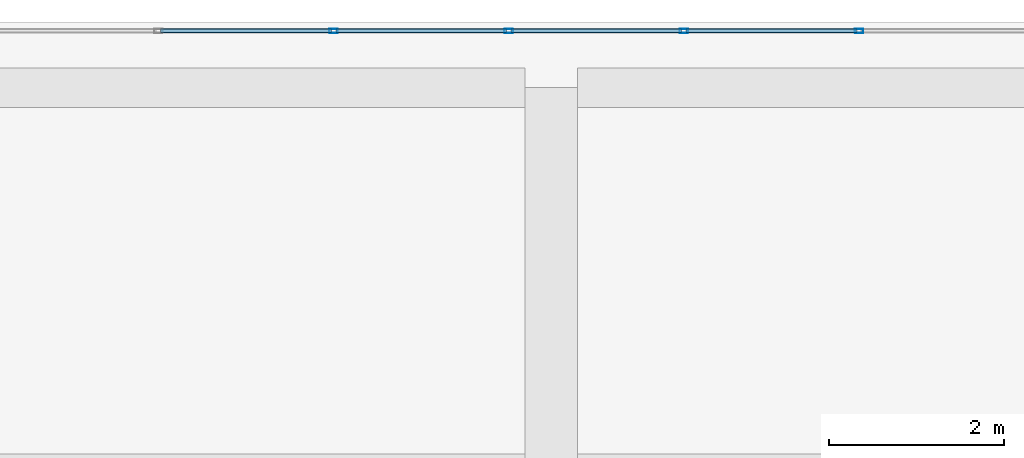
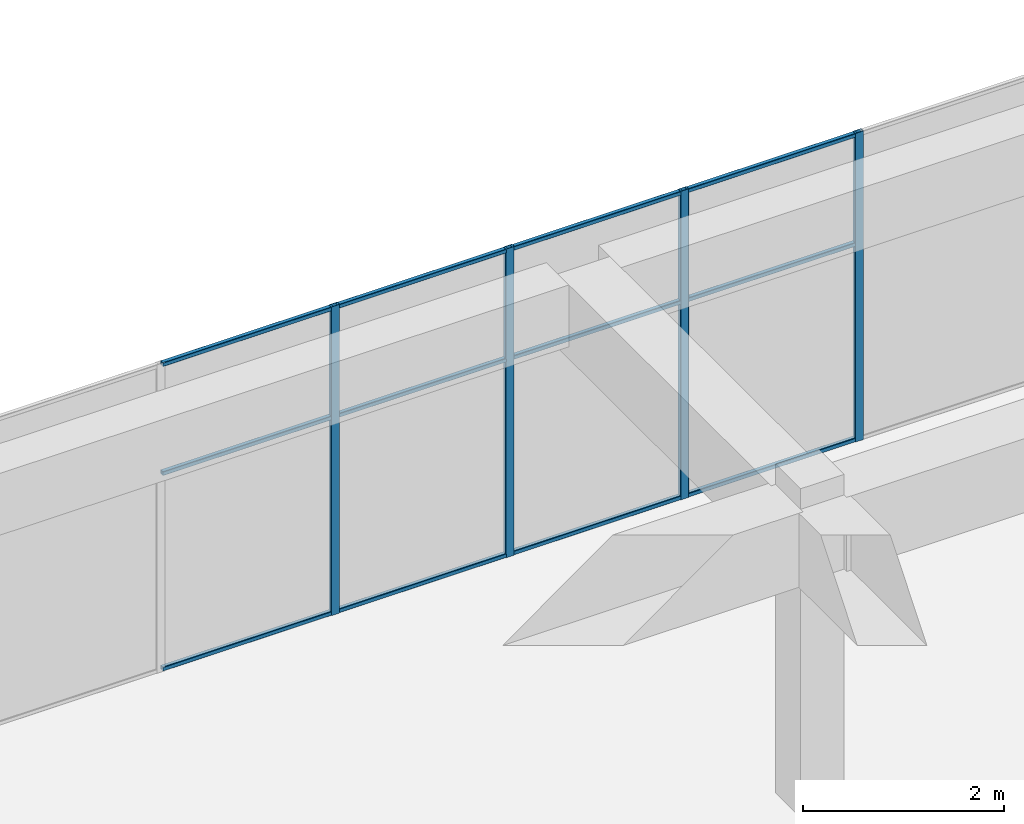
# One storey, part 26 of 34: 16 members, 1 element without a shape of its own.
"""IFC4 building model written with IfcOpenShell, lengths in metres."""

import ifcopenshell
import ifcopenshell.guid

model = None  # the IFC model being written
_history = None  # IfcOwnerHistory: only IFC2X3 demands one
_inside = {}  # id of a spatial element -> (the spatial element, [elements in it])
_under = {}  # id of a project, library or spatial element -> (it, [spatial elements below it])
_declared = {}  # id of a project -> (the project, [libraries it declares])
_typed = {}  # id of a type object -> (the type object, [elements of that type])
_made_of = {}  # id of a material, layer set ... -> (it, [elements and type objects made of it])


def new_model(schema):
    """Start an empty IFC model of exactly this schema.

    Asked for "IFC4X3", IfcOpenShell would pick the latest addendum, in which some entities
    have other attributes; the version numbers below select the first issue.
    IFC2X3 requires an IfcOwnerHistory on every rooted entity: one is made here for all.
    """
    global model, _history
    if schema == "IFC4X3":
        model = ifcopenshell.file(schema_version=(4, 3, 0, 0))
    else:
        model = ifcopenshell.file(schema=schema)
    _inside.clear()
    _under.clear()
    _declared.clear()
    _typed.clear()
    _made_of.clear()
    _history = None
    if model.schema == "IFC2X3":
        org = make("IfcOrganization", Name="unknown")
        user = make(
            "IfcPersonAndOrganization",
            ThePerson=make("IfcPerson", FamilyName="unknown"),
            TheOrganization=org,
        )
        app = make(
            "IfcApplication",
            ApplicationDeveloper=org,
            Version="unknown",
            ApplicationFullName="unknown",
            ApplicationIdentifier="unknown",
        )
        _history = make(
            "IfcOwnerHistory",
            OwningUser=user,
            OwningApplication=app,
            ChangeAction="ADDED",
            CreationDate=0,
        )
    return model


def make(cls, **values):
    """One entity of the class cls with the attributes given. An attribute that is None is left unset."""
    return model.create_entity(
        cls, **{name: value for name, value in values.items() if value is not None}
    )


def rooted(cls, **values):
    """An entity with a GlobalId (a new one), such as an element, a storey or a relation."""
    return make(cls, GlobalId=ifcopenshell.guid.new(), OwnerHistory=_history, **values)


def si_unit(unit_type, name, prefix=None):
    """IfcSIUnit, for example si_unit("LENGTHUNIT", "METRE", prefix="MILLI")."""
    return make("IfcSIUnit", UnitType=unit_type, Prefix=prefix, Name=name)


def assignment(units):
    """IfcUnitAssignment: the units of a project."""
    return None if units is None else make("IfcUnitAssignment", Units=units)


def point(xyz):
    """IfcCartesianPoint."""
    return None if xyz is None else make("IfcCartesianPoint", Coordinates=xyz)


def direction(xyz):
    """IfcDirection."""
    return None if xyz is None else make("IfcDirection", DirectionRatios=xyz)


def frame(location, z_axis=None, x_axis=None):
    """IfcAxis2Placement3D, a coordinate frame: its origin and axes. An axis left out is left unset."""
    return make(
        "IfcAxis2Placement3D",
        Location=point(location),
        Axis=direction(z_axis),
        RefDirection=direction(x_axis),
    )


def frame_2d(location, x_axis=None):
    """IfcAxis2Placement2D, a coordinate frame in the plane: its origin and x axis."""
    return make(
        "IfcAxis2Placement2D", Location=point(location), RefDirection=direction(x_axis)
    )


def origin():
    """The frame at (0, 0, 0) with its axes left unset."""
    return frame((0.0, 0.0, 0.0))


def origin_2d():
    """The frame at (0, 0) in the plane with its x axis left unset."""
    return frame_2d((0.0, 0.0))


def place(relative_to, where):
    """IfcLocalPlacement: puts the frame where relative to a parent placement (None: the world)."""
    return make(
        "IfcLocalPlacement", PlacementRelTo=relative_to, RelativePlacement=where
    )


def context(
    kind, dimensions, precision=None, world=None, true_north=None, identifier=None
):
    """IfcGeometricRepresentationContext, for example the 3D "Model" context."""
    return make(
        "IfcGeometricRepresentationContext",
        ContextIdentifier=identifier,
        ContextType=kind,
        CoordinateSpaceDimension=dimensions,
        Precision=precision,
        WorldCoordinateSystem=world,
        TrueNorth=true_north,
    )


def subcontext(parent, identifier, kind, view, scale=None):
    """IfcGeometricRepresentationSubContext, for example "Body" below "Model"."""
    return make(
        "IfcGeometricRepresentationSubContext",
        ContextIdentifier=identifier,
        ContextType=kind,
        ParentContext=parent,
        TargetScale=scale,
        TargetView=view,
    )


def project(units=None, contexts=None):
    """IfcProject with its units and contexts."""
    return rooted(
        "IfcProject",
        Name="project",
        RepresentationContexts=contexts,
        UnitsInContext=assignment(units),
    )


def spatial(cls, under=None, at=None, **own):
    """A site, building, storey or space (cls), placed at a placement, below another one or the project."""
    s = rooted(cls, ObjectPlacement=at, **own)
    if under is not None:
        _under.setdefault(under.id(), (under, []))[1].append(s)
    return s


def profile(cls, at=None, kind="AREA", **sizes):
    """A parametric profile (cls). Its sizes go by their IFC names, for example OverallWidth=200.0."""
    return make(cls, ProfileType=kind, Position=at, **sizes)


def hollow_rectangle(**sizes):
    """IfcRectangleHollowProfileDef."""
    return profile("IfcRectangleHollowProfileDef", **sizes)


def extrude(swept, where, along, depth):
    """IfcExtrudedAreaSolid: the profile swept, set in the frame where, extruded along a direction by depth."""
    return make(
        "IfcExtrudedAreaSolid",
        SweptArea=swept,
        Position=where,
        ExtrudedDirection=direction(along),
        Depth=depth,
    )


def shape(context_of_items, identifier, shape_type, items):
    """IfcShapeRepresentation: the items that make up one representation, for example the "Body"."""
    return make(
        "IfcShapeRepresentation",
        ContextOfItems=context_of_items,
        RepresentationIdentifier=identifier,
        RepresentationType=shape_type,
        Items=items,
    )


def material(Name=None, Category=None):
    """IfcMaterial."""
    return make("IfcMaterial", Name=Name, Category=Category)


def layer(
    of_material, thickness, ventilated=None, Name=None, Category=None, Priority=None
):
    """IfcMaterialLayer: one layer of a wall or slab, of a material (None: an air gap)."""
    return make(
        "IfcMaterialLayer",
        Material=of_material,
        LayerThickness=thickness,
        IsVentilated=ventilated,
        Name=Name,
        Category=Category,
        Priority=Priority,
    )


def layer_set(layers, Name=None):
    """IfcMaterialLayerSet."""
    return make("IfcMaterialLayerSet", MaterialLayers=layers, LayerSetName=Name)


def material_profile(
    of_material, cross_section, Name=None, Category=None, Priority=None
):
    """IfcMaterialProfile: a cross section and its material."""
    return make(
        "IfcMaterialProfile",
        Name=Name,
        Material=of_material,
        Profile=cross_section,
        Priority=Priority,
        Category=Category,
    )


def profile_set(profiles, Name=None, composite=None):
    """IfcMaterialProfileSet."""
    return make(
        "IfcMaterialProfileSet",
        Name=Name,
        MaterialProfiles=profiles,
        CompositeProfile=composite,
    )


def made_of(thing, what):
    """Note that an element or type object is made of a material, layer set ...; save() writes the relation."""
    if what is not None:
        _made_of.setdefault(what.id(), (what, []))[1].append(thing)
    return thing


def type_object(cls, material=None, **own):
    """A type object (cls), such as IfcWallType, which elements share."""
    return made_of(rooted(cls, **own), material)


def element(
    cls,
    number,
    at=None,
    inside=None,
    cuts=None,
    type_object=None,
    material=None,
    context=None,
    identifier="Body",
    shape_type=None,
    held_by="IfcProductDefinitionShape",
    body=None,
    shapes=None,
    **own,
):
    """One element of the class cls, such as IfcWall. Its Tag is "e" and its number.

    at: its placement. inside: the storey or other place that contains it. cuts: it is an
    opening in that element (IfcRelVoidsElement). A single representation is given by context,
    identifier, shape_type and body (its items); several are given by shapes. held_by: the class
    of the entity that holds the representations. save() writes the other relations.
    """
    e = rooted(cls, Tag="e%d" % number, ObjectPlacement=at, **own)
    if body is not None:
        shapes = [shape(context, identifier, shape_type, body)]
    if shapes is not None:
        e.Representation = make(held_by, Representations=shapes)
    if inside is not None:
        _inside.setdefault(inside.id(), (inside, []))[1].append(e)
    if cuts is not None:
        rooted(
            "IfcRelVoidsElement", RelatingBuildingElement=cuts, RelatedOpeningElement=e
        )
    if type_object is not None:
        _typed.setdefault(type_object.id(), (type_object, []))[1].append(e)
    return made_of(e, material)


def aggregate(whole, parts):
    """IfcRelAggregates: a whole, such as a stair, and the parts it consists of."""
    return rooted("IfcRelAggregates", RelatingObject=whole, RelatedObjects=parts)


def save(model, path):
    """Write the relations noted so far, then the file.

    IfcRelAggregates (storeys below a building ...), IfcRelContainedInSpatialStructure (elements
    in a storey), IfcRelDefinesByType, IfcRelAssociatesMaterial and IfcRelDeclares: one each for
    every whole, place, type object, material and project.
    """
    for whole, parts in _under.values():
        aggregate(whole, parts)
    for where, things in _inside.values():
        rooted(
            "IfcRelContainedInSpatialStructure",
            RelatedElements=things,
            RelatingStructure=where,
        )
    for kind, things in _typed.values():
        rooted("IfcRelDefinesByType", RelatedObjects=things, RelatingType=kind)
    for what, things in _made_of.values():
        rooted("IfcRelAssociatesMaterial", RelatedObjects=things, RelatingMaterial=what)
    for by, libraries in _declared.values():
        rooted("IfcRelDeclares", RelatingContext=by, RelatedDefinitions=libraries)
    model.write(path)


model = new_model("IFC4")

# Units and contexts
model_context = context("Model", 3, precision=1e-05, world=origin(), true_north=direction((0.0, 1.0)))
body_context = subcontext(model_context, "Body", "Model", "MODEL_VIEW")
ifc_project = project(units=[si_unit("LENGTHUNIT", "METRE"), si_unit("AREAUNIT", "SQUARE_METRE"), si_unit("VOLUMEUNIT", "CUBIC_METRE"), si_unit("PLANEANGLEUNIT", "RADIAN"), si_unit("MASSUNIT", "GRAM", prefix="KILO")], contexts=[model_context])

# Site, building, storey
site_placement = place(None, origin())
site = spatial("IfcSite", under=ifc_project, at=site_placement, CompositionType="ELEMENT")
building_placement = place(site_placement, origin())
building = spatial("IfcBuilding", under=site, at=building_placement, Name="Tuart Plaza Theatre", CompositionType="ELEMENT")
storey_placement = place(building_placement, frame((0.0, 0.0, 53.5)))
storey = spatial("IfcBuildingStorey", under=building, at=storey_placement, Name="L13", CompositionType="ELEMENT", Elevation=53.5)

# Curtain wall, members
ifc_material_1 = material(Name="Aluminium and glass", Category="aluminium")
ifc_layer = layer(ifc_material_1, 0.10009765625)
ifc_layer_set = layer_set([ifc_layer], Name="CURTAIN WALL 2000 module")
curtain_wall_type = type_object("IfcCurtainWallType", Name="CURTAIN WALL 2000 module", PredefinedType="NOTDEFINED", material=ifc_layer_set)
curtain_wall_placement = place(storey_placement, origin())
curtain_wall = element("IfcCurtainWall", 1, at=curtain_wall_placement, inside=storey, type_object=curtain_wall_type, Name="CW117", PredefinedType="NOTDEFINED")
ifc_material_2 = material(Name="Aluminium 6063-T5", Category="aluminium")
ifc_material_profile_1 = material_profile(ifc_material_2, hollow_rectangle(XDim=0.050048828125, YDim=0.10009765625, WallThickness=0.00390625, InnerFilletRadius=0.00390625, OuterFilletRadius=0.008056640625, at=origin_2d()), Name="RHS 100x50x4")
ifc_profile_set_1 = profile_set([ifc_material_profile_1], Name="Aluminium 6063-T5")
member_type_1 = type_object("IfcMemberType", Name="MULLION RHS 100x50x4", PredefinedType="MULLION", material=ifc_profile_set_1)
member_1_placement = place(storey_placement, frame((135.528564453125, 97.14990234375, 0.0), z_axis=(0.0, 0.0, 1.0), x_axis=(0.0, -1.0, 0.0)))
member_1 = element("IfcMember", 2, at=member_1_placement, type_object=member_type_1, Name="CW117 mullion 4", PredefinedType="MULLION", context=body_context, shape_type="SweptSolid", body=[
    extrude(hollow_rectangle(XDim=0.050048828125, YDim=0.10009765625, WallThickness=0.00390625, InnerFilletRadius=0.00390625, OuterFilletRadius=0.008056640625, at=origin_2d()), origin(), (0.0, 0.0, 1.0), 3.75),
])
member_2_placement = place(storey_placement, frame((133.521484375, 97.14990234375, 0.0), z_axis=(0.0, 0.0, 1.0), x_axis=(0.0, -1.0, 0.0)))
member_2 = element("IfcMember", 3, at=member_2_placement, type_object=member_type_1, Name="CW117 mullion 5", PredefinedType="MULLION", context=body_context, shape_type="SweptSolid", body=[
    extrude(hollow_rectangle(XDim=0.050048828125, YDim=0.10009765625, WallThickness=0.00390625, InnerFilletRadius=0.00390625, OuterFilletRadius=0.008056640625, at=origin_2d()), origin(), (0.0, 0.0, 1.0), 3.75),
])
member_3_placement = place(storey_placement, frame((131.514404296875, 97.14990234375, 0.0), z_axis=(0.0, 0.0, 1.0), x_axis=(0.0, -1.0, 0.0)))
member_3 = element("IfcMember", 4, at=member_3_placement, type_object=member_type_1, Name="CW117 mullion 6", PredefinedType="MULLION", context=body_context, shape_type="SweptSolid", body=[
    extrude(hollow_rectangle(XDim=0.050048828125, YDim=0.10009765625, WallThickness=0.00390625, InnerFilletRadius=0.00390625, OuterFilletRadius=0.008056640625, at=origin_2d()), origin(), (0.0, 0.0, 1.0), 3.75),
])
member_4_placement = place(storey_placement, frame((129.507080078125, 97.14990234375, 0.0), z_axis=(0.0, 0.0, 1.0), x_axis=(0.0, -1.0, 0.0)))
member_4 = element("IfcMember", 5, at=member_4_placement, type_object=member_type_1, Name="CW117 mullion 7", PredefinedType="MULLION", context=body_context, shape_type="SweptSolid", body=[
    extrude(hollow_rectangle(XDim=0.050048828125, YDim=0.10009765625, WallThickness=0.00390625, InnerFilletRadius=0.00390625, OuterFilletRadius=0.008056640625, at=origin_2d()), origin(), (0.0, 0.0, 1.0), 3.75),
])
ifc_material_3 = material(Name="Aluminium 6063-T5", Category="aluminium")
ifc_material_profile_2 = material_profile(ifc_material_3, hollow_rectangle(XDim=0.050048828125, YDim=0.050048828125, WallThickness=0.00390625, InnerFilletRadius=0.00390625, OuterFilletRadius=0.008056640625, at=origin_2d()), Name="RHS 50x50x4")
ifc_profile_set_2 = profile_set([ifc_material_profile_2], Name="Aluminium 6063-T5")
member_type_2 = type_object("IfcMemberType", Name="TRANSOM RHS 50x50x4", PredefinedType="USERDEFINED", material=ifc_profile_set_2)
member_5_placement = place(storey_placement, frame((135.503662109375, 97.14990234375, 0.02490234375), z_axis=(-1.0, 0.0, 0.0), x_axis=(0.0, -1.0, 0.0)))
member_5 = element("IfcMember", 6, at=member_5_placement, type_object=member_type_2, Name="CW117 transom 4.1", ObjectType="TRANSOM", PredefinedType="USERDEFINED", context=body_context, shape_type="SweptSolid", body=[
    extrude(hollow_rectangle(XDim=0.050048828125, YDim=0.050048828125, WallThickness=0.00390625, InnerFilletRadius=0.00390625, OuterFilletRadius=0.008056640625, at=origin_2d()), origin(), (0.0, 0.0, 1.0), 1.957275390625),
])
member_6_placement = place(storey_placement, frame((135.503662109375, 97.14990234375, 2.39990234375), z_axis=(-1.0, 0.0, 0.0), x_axis=(0.0, -1.0, 0.0)))
member_6 = element("IfcMember", 7, at=member_6_placement, type_object=member_type_2, Name="CW117 transom 4.2", ObjectType="TRANSOM", PredefinedType="USERDEFINED", context=body_context, shape_type="SweptSolid", body=[
    extrude(hollow_rectangle(XDim=0.050048828125, YDim=0.050048828125, WallThickness=0.00390625, InnerFilletRadius=0.00390625, OuterFilletRadius=0.008056640625, at=origin_2d()), origin(), (0.0, 0.0, 1.0), 1.957275390625),
])
member_7_placement = place(storey_placement, frame((135.503662109375, 97.14990234375, 3.72509765625), z_axis=(-1.0, 0.0, 0.0), x_axis=(0.0, -1.0, 0.0)))
member_7 = element("IfcMember", 8, at=member_7_placement, type_object=member_type_2, Name="CW117 transom 4.3", ObjectType="TRANSOM", PredefinedType="USERDEFINED", context=body_context, shape_type="SweptSolid", body=[
    extrude(hollow_rectangle(XDim=0.050048828125, YDim=0.050048828125, WallThickness=0.00390625, InnerFilletRadius=0.00390625, OuterFilletRadius=0.008056640625, at=origin_2d()), origin(), (0.0, 0.0, 1.0), 1.957275390625),
])
member_8_placement = place(storey_placement, frame((133.496337890625, 97.14990234375, 0.02490234375), z_axis=(-1.0, 0.0, 0.0), x_axis=(0.0, -1.0, 0.0)))
member_8 = element("IfcMember", 9, at=member_8_placement, type_object=member_type_2, Name="CW117 transom 5.1", ObjectType="TRANSOM", PredefinedType="USERDEFINED", context=body_context, shape_type="SweptSolid", body=[
    extrude(hollow_rectangle(XDim=0.050048828125, YDim=0.050048828125, WallThickness=0.00390625, InnerFilletRadius=0.00390625, OuterFilletRadius=0.008056640625, at=origin_2d()), origin(), (0.0, 0.0, 1.0), 1.95703125),
])
member_9_placement = place(storey_placement, frame((133.496337890625, 97.14990234375, 2.39990234375), z_axis=(-1.0, 0.0, 0.0), x_axis=(0.0, -1.0, 0.0)))
member_9 = element("IfcMember", 10, at=member_9_placement, type_object=member_type_2, Name="CW117 transom 5.2", ObjectType="TRANSOM", PredefinedType="USERDEFINED", context=body_context, shape_type="SweptSolid", body=[
    extrude(hollow_rectangle(XDim=0.050048828125, YDim=0.050048828125, WallThickness=0.00390625, InnerFilletRadius=0.00390625, OuterFilletRadius=0.008056640625, at=origin_2d()), origin(), (0.0, 0.0, 1.0), 1.95703125),
])
member_10_placement = place(storey_placement, frame((133.496337890625, 97.14990234375, 3.72509765625), z_axis=(-1.0, 0.0, 0.0), x_axis=(0.0, -1.0, 0.0)))
member_10 = element("IfcMember", 11, at=member_10_placement, type_object=member_type_2, Name="CW117 transom 5.3", ObjectType="TRANSOM", PredefinedType="USERDEFINED", context=body_context, shape_type="SweptSolid", body=[
    extrude(hollow_rectangle(XDim=0.050048828125, YDim=0.050048828125, WallThickness=0.00390625, InnerFilletRadius=0.00390625, OuterFilletRadius=0.008056640625, at=origin_2d()), origin(), (0.0, 0.0, 1.0), 1.95703125),
])
member_11_placement = place(storey_placement, frame((131.4892578125, 97.14990234375, 0.02490234375), z_axis=(-1.0, 0.0, 0.0), x_axis=(0.0, -1.0, 0.0)))
member_11 = element("IfcMember", 12, at=member_11_placement, type_object=member_type_2, Name="CW117 transom 6.1", ObjectType="TRANSOM", PredefinedType="USERDEFINED", context=body_context, shape_type="SweptSolid", body=[
    extrude(hollow_rectangle(XDim=0.050048828125, YDim=0.050048828125, WallThickness=0.00390625, InnerFilletRadius=0.00390625, OuterFilletRadius=0.008056640625, at=origin_2d()), origin(), (0.0, 0.0, 1.0), 1.95703125),
])
member_12_placement = place(storey_placement, frame((131.4892578125, 97.14990234375, 2.39990234375), z_axis=(-1.0, 0.0, 0.0), x_axis=(0.0, -1.0, 0.0)))
member_12 = element("IfcMember", 13, at=member_12_placement, type_object=member_type_2, Name="CW117 transom 6.2", ObjectType="TRANSOM", PredefinedType="USERDEFINED", context=body_context, shape_type="SweptSolid", body=[
    extrude(hollow_rectangle(XDim=0.050048828125, YDim=0.050048828125, WallThickness=0.00390625, InnerFilletRadius=0.00390625, OuterFilletRadius=0.008056640625, at=origin_2d()), origin(), (0.0, 0.0, 1.0), 1.95703125),
])
member_13_placement = place(storey_placement, frame((131.4892578125, 97.14990234375, 3.72509765625), z_axis=(-1.0, 0.0, 0.0), x_axis=(0.0, -1.0, 0.0)))
member_13 = element("IfcMember", 14, at=member_13_placement, type_object=member_type_2, Name="CW117 transom 6.3", ObjectType="TRANSOM", PredefinedType="USERDEFINED", context=body_context, shape_type="SweptSolid", body=[
    extrude(hollow_rectangle(XDim=0.050048828125, YDim=0.050048828125, WallThickness=0.00390625, InnerFilletRadius=0.00390625, OuterFilletRadius=0.008056640625, at=origin_2d()), origin(), (0.0, 0.0, 1.0), 1.95703125),
])
member_14_placement = place(storey_placement, frame((129.482177734375, 97.14990234375, 0.02490234375), z_axis=(-1.0, 0.0, 0.0), x_axis=(0.0, -1.0, 0.0)))
member_14 = element("IfcMember", 15, at=member_14_placement, type_object=member_type_2, Name="CW117 transom 7.1", ObjectType="TRANSOM", PredefinedType="USERDEFINED", context=body_context, shape_type="SweptSolid", body=[
    extrude(hollow_rectangle(XDim=0.050048828125, YDim=0.050048828125, WallThickness=0.00390625, InnerFilletRadius=0.00390625, OuterFilletRadius=0.008056640625, at=origin_2d()), origin(), (0.0, 0.0, 1.0), 1.957275390625),
])
member_15_placement = place(storey_placement, frame((129.482177734375, 97.14990234375, 2.39990234375), z_axis=(-1.0, 0.0, 0.0), x_axis=(0.0, -1.0, 0.0)))
member_15 = element("IfcMember", 16, at=member_15_placement, type_object=member_type_2, Name="CW117 transom 7.2", ObjectType="TRANSOM", PredefinedType="USERDEFINED", context=body_context, shape_type="SweptSolid", body=[
    extrude(hollow_rectangle(XDim=0.050048828125, YDim=0.050048828125, WallThickness=0.00390625, InnerFilletRadius=0.00390625, OuterFilletRadius=0.008056640625, at=origin_2d()), origin(), (0.0, 0.0, 1.0), 1.957275390625),
])
member_16_placement = place(storey_placement, frame((129.482177734375, 97.14990234375, 3.72509765625), z_axis=(-1.0, 0.0, 0.0), x_axis=(0.0, -1.0, 0.0)))
member_16 = element("IfcMember", 17, at=member_16_placement, type_object=member_type_2, Name="CW117 transom 7.3", ObjectType="TRANSOM", PredefinedType="USERDEFINED", context=body_context, shape_type="SweptSolid", body=[
    extrude(hollow_rectangle(XDim=0.050048828125, YDim=0.050048828125, WallThickness=0.00390625, InnerFilletRadius=0.00390625, OuterFilletRadius=0.008056640625, at=origin_2d()), origin(), (0.0, 0.0, 1.0), 1.957275390625),
])
aggregate(curtain_wall, [member_1, member_2, member_3, member_4, member_5, member_6, member_7, member_8, member_9, member_10, member_11, member_12, member_13, member_14, member_15, member_16])

save(model, "model.ifc")
